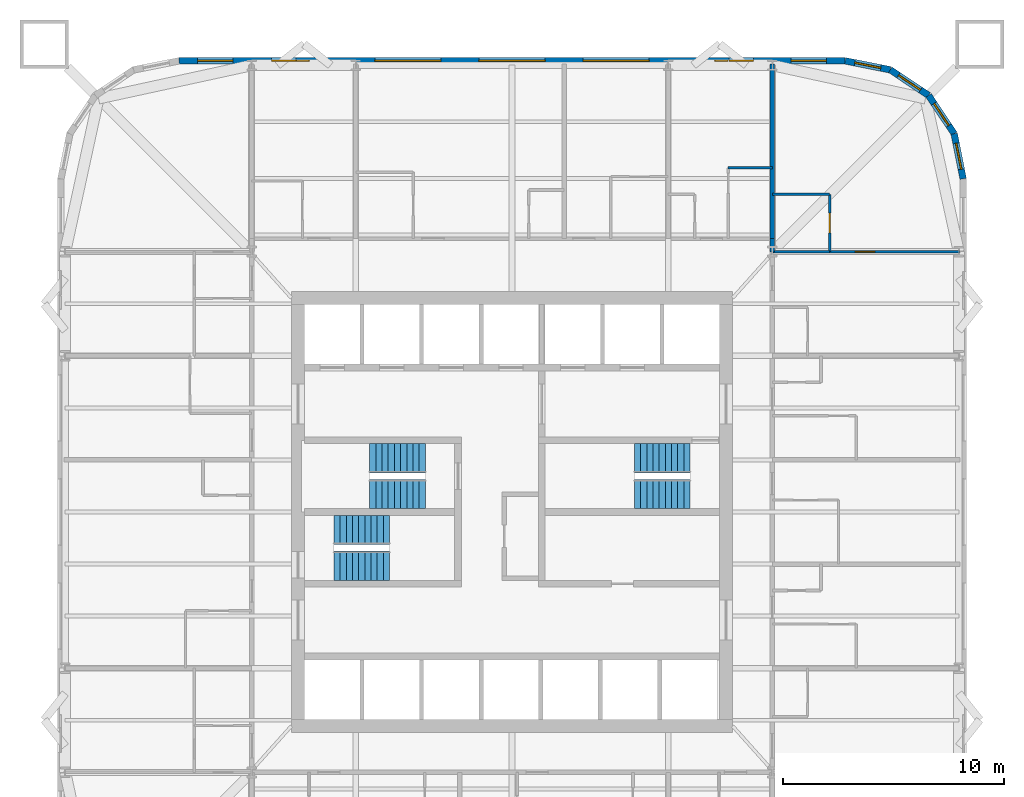
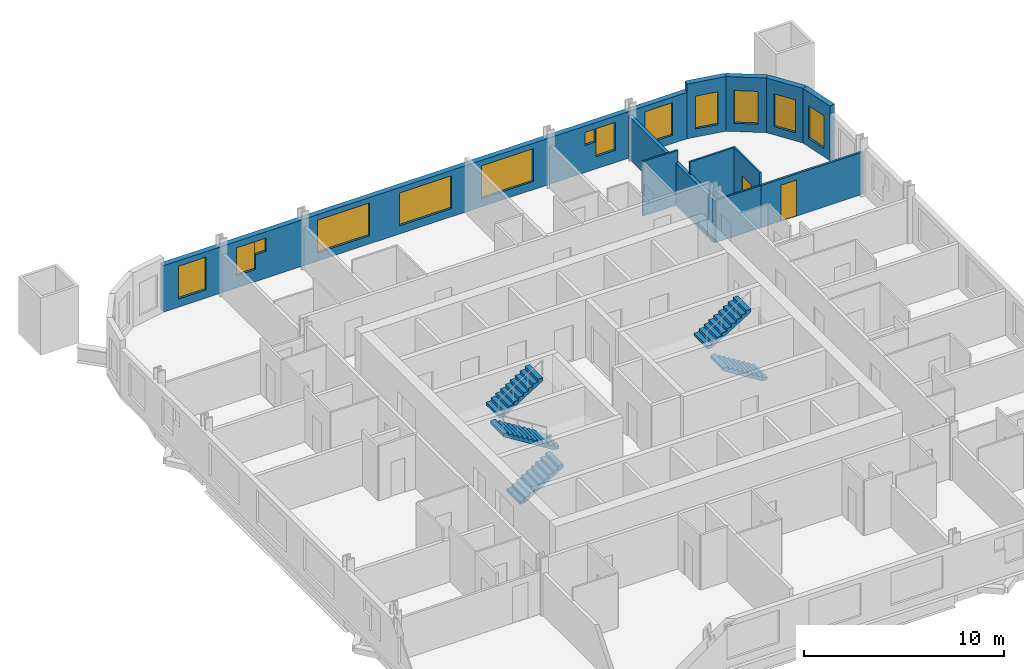
# One storey, part 8 of 9: 13 windows, 12 walls, 6 stair flights, 2 doors, 15 openings, 3 elements without a shape of their own.
"""IFC4 building model written with IfcOpenShell, lengths in metres."""

from ifc_helpers import new_model, si_unit, direction, frame, frame_2d, origin, place, context, subcontext, project, spatial, polyline, rectangle, outline, extrude, material, layer, layer_set, type_object, element, fill, aggregate, save


model = new_model("IFC4")

# Units and contexts
model_context = context("Model", 3, precision=1e-05, world=origin(), true_north=direction((0.0, 1.0)))
body_context = subcontext(model_context, "Body", "Model", "MODEL_VIEW")
ifc_project = project(units=[si_unit("LENGTHUNIT", "METRE"), si_unit("AREAUNIT", "SQUARE_METRE"), si_unit("VOLUMEUNIT", "CUBIC_METRE"), si_unit("PLANEANGLEUNIT", "RADIAN"), si_unit("MASSUNIT", "GRAM", prefix="KILO")], contexts=[model_context])

# Site, building, storey
site_placement = place(None, origin())
site = spatial("IfcSite", under=ifc_project, at=site_placement, CompositionType="ELEMENT")
building_placement = place(site_placement, origin())
building = spatial("IfcBuilding", under=site, at=building_placement, Name="Turquesa Mirador Hotel Tower", CompositionType="ELEMENT")
storey_placement = place(building_placement, frame((0.0, 0.0, 110.89990234375)))
storey = spatial("IfcBuildingStorey", under=building, at=storey_placement, Name="L29", CompositionType="ELEMENT", Elevation=110.89990234375)

# Walls
ifc_material_1 = material(Name="Gypsum board on steel studs", Category="steel")
ifc_layer_1 = layer(ifc_material_1, 0.10009765625)
ifc_layer_set_1 = layer_set([ifc_layer_1], Name="BATHROOM WALL 100")
wall_type_1 = type_object("IfcWallType", Name="BATHROOM WALL 100", PredefinedType="PARTITIONING", material=ifc_layer_set_1)
wall_1_placement = place(storey_placement, frame((66.800048828125, 56.800048828125, 0.0), z_axis=(0.0, 0.0, 1.0), x_axis=(1.0, 0.0, 0.0)))
element("IfcWall", 1, at=wall_1_placement, inside=storey, type_object=wall_type_1, Name="Partition L29 021", PredefinedType="PARTITIONING", context=body_context, shape_type="SweptSolid", body=[
    extrude(rectangle(XDim=2.599853515625, YDim=0.10009765625, at=frame_2d((1.2998046875, 0.0))), origin(), (0.0, 0.0, 1.0), 2.5732421875),
])
wall_2_placement = place(storey_placement, frame((66.800048828125, 59.39990234375, 0.0), z_axis=(0.0, 0.0, 1.0), x_axis=(1.0, 0.0, 0.0)))
element("IfcWall", 2, at=wall_2_placement, inside=storey, type_object=wall_type_1, Name="Partition L29 026", PredefinedType="PARTITIONING", context=body_context, shape_type="SweptSolid", body=[
    extrude(rectangle(XDim=2.599853515625, YDim=0.10009765625, at=frame_2d((1.2998046875, 0.0))), origin(), (0.0, 0.0, 1.0), 3.330078125),
])
wall_3_placement = place(storey_placement, frame((64.800048828125, 60.60009765625, 0.0), z_axis=(0.0, 0.0, 1.0), x_axis=(1.0, 0.0, 0.0)))
element("IfcWall", 3, at=wall_3_placement, inside=storey, type_object=wall_type_1, Name="Partition L29 031", PredefinedType="PARTITIONING", context=body_context, shape_type="SweptSolid", body=[
    extrude(rectangle(XDim=2.0, YDim=0.10009765625, at=frame_2d((1.0, 0.0))), origin(), (0.0, 0.0, 1.0), 3.330078125),
])

# Wall, opening, door
wall_4_placement = place(storey_placement, frame((69.39990234375, 56.800048828125, 0.0), z_axis=(0.0, 0.0, 1.0), x_axis=(0.0, 1.0, 0.0)))
wall_4 = element("IfcWall", 4, at=wall_4_placement, inside=storey, type_object=wall_type_1, Name="Partition L29 068", PredefinedType="PARTITIONING", context=body_context, shape_type="SweptSolid", body=[
    extrude(rectangle(XDim=2.599853515625, YDim=0.10009765625, at=frame_2d((1.2998046875, 0.0))), origin(), (0.0, 0.0, 1.0), 3.330078125),
])
opening_1_placement = place(wall_4_placement, frame((0.85009765625, 0.0, 0.0)))
opening_1 = element("IfcOpeningElement", 5, at=opening_1_placement, cuts=wall_4, Name="Opening D02", PredefinedType="OPENING", context=body_context, shape_type="SweptSolid", body=[
    extrude(rectangle(XDim=0.89990234375, YDim=2.10009765625, at=frame_2d((0.449951171875, 1.050048828125))), frame((0.0, 0.06005859375, 0.0), z_axis=(0.0, -1.0, 0.0), x_axis=(1.0, 0.0, 0.0)), (0.0, 0.0, 1.0), 0.1201171875),
])
ifc_material_2 = material(Name="Timber veneered door", Category="wood")
door_type_1 = type_object("IfcDoorType", Name="DOOR 900X2100 EN-SUITE", OperationType="SINGLE_SWING_RIGHT", PredefinedType="DOOR", material=ifc_material_2)
door_1_placement = place(opening_1_placement, origin())
door_1 = element("IfcDoor", 6, at=door_1_placement, inside=storey, type_object=door_type_1, Name="Door 2913B", OperationType="SINGLE_SWING_RIGHT", OverallHeight=2.10009765625, OverallWidth=0.89990234375, PredefinedType="DOOR", context=body_context, shape_type="SweptSolid", body=[
    extrude(rectangle(XDim=0.89990234375, YDim=2.10009765625, at=frame_2d((0.449951171875, 1.050048828125))), frame((0.0, 0.02490234375, 0.0), z_axis=(0.0, -1.0, 0.0), x_axis=(1.0, 0.0, 0.0)), (0.0, 0.0, 1.0), 0.050048828125),
])
fill(opening_1, door_1)

# Wall
ifc_material_3 = material(Name="Fire-rated gypsum board on steel studs", Category="steel")
ifc_layer_2 = layer(ifc_material_3, 0.199951171875)
ifc_layer_set_2 = layer_set([ifc_layer_2], Name="CORRIDOR WALL 200")
wall_type_2 = type_object("IfcWallType", Name="CORRIDOR WALL 200", PredefinedType="PARTITIONING", material=ifc_layer_set_2)
wall_5_placement = place(storey_placement, frame((66.800048828125, 56.780029296875, 0.0), z_axis=(0.0, 0.0, 1.0), x_axis=(0.0, 1.0, 0.0)))
element("IfcWall", 7, at=wall_5_placement, inside=storey, type_object=wall_type_2, Name="Partition L29 081", PredefinedType="PARTITIONING", context=body_context, shape_type="SweptSolid", body=[
    extrude(rectangle(XDim=0.619873046875, YDim=0.199951171875, at=frame_2d((0.31005859375, 0.0))), origin(), (0.0, 0.0, 1.0), 2.5732421875),
])

# Wall, opening, window
ifc_material_4 = material(Name="Limestone cladding on concrete block", Category="masonry")
ifc_layer_3 = layer(ifc_material_4, 0.300048828125)
ifc_layer_set_3 = layer_set([ifc_layer_3], Name="FACADE WALL 300 STONE SCREEN")
wall_type_3 = type_object("IfcWallType", Name="FACADE WALL 300 STONE SCREEN", PredefinedType="SOLIDWALL", material=ifc_layer_set_3)
wall_6_placement = place(storey_placement, frame((75.449951171875, 60.10009765625, 0.0), z_axis=(0.0, 0.0, 1.0), x_axis=(-0.195081421501, 0.980787050784, 0.0)))
wall_6 = element("IfcWall", 8, at=wall_6_placement, inside=storey, type_object=wall_type_3, Name="Facade wall L29 05", PredefinedType="SOLIDWALL", context=body_context, shape_type="SweptSolid", body=[
    extrude(rectangle(XDim=2.08740234375, YDim=0.300048828125, at=frame_2d((1.043701171875, 0.0))), origin(), (0.0, 0.0, 1.0), 3.330078125),
])
opening_2_placement = place(wall_6_placement, frame((0.443603515625, 0.0, 0.5)))
opening_2 = element("IfcOpeningElement", 9, at=opening_2_placement, cuts=wall_6, Name="Opening WN4", PredefinedType="OPENING", context=body_context, shape_type="SweptSolid", body=[
    extrude(rectangle(XDim=1.199951171875, YDim=2.0, at=frame_2d((0.60009765625, 1.0))), frame((0.0, 0.159912109375, 0.0), z_axis=(0.0, -1.0, 0.0), x_axis=(1.0, 0.0, 0.0)), (0.0, 0.0, 1.0), 0.320068359375),
])
ifc_material_5 = material(Name="Ceramic-fritted laminated glass", Category="glass")
window_type_1 = type_object("IfcWindowType", Name="FRITTED CORNER WINDOW 1200X2000", PartitioningType="DOUBLE_PANEL_HORIZONTAL", PredefinedType="WINDOW", material=ifc_material_5)
window_1_placement = place(opening_2_placement, origin())
window_1 = element("IfcWindow", 10, at=window_1_placement, inside=storey, type_object=window_type_1, Name="Window L29", OverallHeight=2.0, OverallWidth=1.199951171875, PartitioningType="SINGLE_PANEL", PredefinedType="WINDOW", context=body_context, shape_type="SweptSolid", body=[
    extrude(rectangle(XDim=1.199951171875, YDim=2.0, at=frame_2d((0.60009765625, 1.0))), frame((0.0, 0.030029296875, 0.0), z_axis=(0.0, -1.0, 0.0), x_axis=(1.0, 0.0, 0.0)), (0.0, 0.0, 1.0), 0.06005859375),
])
fill(opening_2, window_1)

wall_7_placement = place(storey_placement, frame((75.042724609375, 62.1474609375, 0.0), z_axis=(0.0, 0.0, 1.0), x_axis=(-0.555563607591, 0.831474039234, 0.0)))
wall_7 = element("IfcWall", 11, at=wall_7_placement, inside=storey, type_object=wall_type_3, Name="Facade wall L29 06", PredefinedType="SOLIDWALL", context=body_context, shape_type="SweptSolid", body=[
    extrude(rectangle(XDim=2.08740234375, YDim=0.300048828125, at=frame_2d((1.043701171875, 0.0))), origin(), (0.0, 0.0, 1.0), 3.330078125),
])
opening_3_placement = place(wall_7_placement, frame((0.443603515625, 0.0, 0.5)))
opening_3 = element("IfcOpeningElement", 12, at=opening_3_placement, cuts=wall_7, Name="Opening WN4", PredefinedType="OPENING", context=body_context, shape_type="SweptSolid", body=[
    extrude(rectangle(XDim=1.199951171875, YDim=2.0, at=frame_2d((0.60009765625, 1.0))), frame((0.0, 0.159912109375, 0.0), z_axis=(0.0, -1.0, 0.0), x_axis=(1.0, 0.0, 0.0)), (0.0, 0.0, 1.0), 0.320068359375),
])
window_2_placement = place(opening_3_placement, origin())
window_2 = element("IfcWindow", 13, at=window_2_placement, inside=storey, type_object=window_type_1, Name="Window L29", OverallHeight=2.0, OverallWidth=1.199951171875, PartitioningType="SINGLE_PANEL", PredefinedType="WINDOW", context=body_context, shape_type="SweptSolid", body=[
    extrude(rectangle(XDim=1.199951171875, YDim=2.0, at=frame_2d((0.60009765625, 1.0))), frame((0.0, 0.030029296875, 0.0), z_axis=(0.0, -1.0, 0.0), x_axis=(1.0, 0.0, 0.0)), (0.0, 0.0, 1.0), 0.06005859375),
])
fill(opening_3, window_2)

wall_8_placement = place(storey_placement, frame((73.883056640625, 63.883056640625, 0.0), z_axis=(0.0, 0.0, 1.0), x_axis=(-0.831474039234, 0.555563607591, 0.0)))
wall_8 = element("IfcWall", 14, at=wall_8_placement, inside=storey, type_object=wall_type_3, Name="Facade wall L29 07", PredefinedType="SOLIDWALL", context=body_context, shape_type="SweptSolid", body=[
    extrude(rectangle(XDim=2.08740234375, YDim=0.300048828125, at=frame_2d((1.043701171875, 0.0))), origin(), (0.0, 0.0, 1.0), 3.330078125),
])
opening_4_placement = place(wall_8_placement, frame((0.443603515625, 0.0, 0.5)))
opening_4 = element("IfcOpeningElement", 15, at=opening_4_placement, cuts=wall_8, Name="Opening WN4", PredefinedType="OPENING", context=body_context, shape_type="SweptSolid", body=[
    extrude(rectangle(XDim=1.199951171875, YDim=2.0, at=frame_2d((0.60009765625, 1.0))), frame((0.0, 0.159912109375, 0.0), z_axis=(0.0, -1.0, 0.0), x_axis=(1.0, 0.0, 0.0)), (0.0, 0.0, 1.0), 0.320068359375),
])
window_3_placement = place(opening_4_placement, origin())
window_3 = element("IfcWindow", 16, at=window_3_placement, inside=storey, type_object=window_type_1, Name="Window L29", OverallHeight=2.0, OverallWidth=1.199951171875, PartitioningType="SINGLE_PANEL", PredefinedType="WINDOW", context=body_context, shape_type="SweptSolid", body=[
    extrude(rectangle(XDim=1.199951171875, YDim=2.0, at=frame_2d((0.60009765625, 1.0))), frame((0.0, 0.030029296875, 0.0), z_axis=(0.0, -1.0, 0.0), x_axis=(1.0, 0.0, 0.0)), (0.0, 0.0, 1.0), 0.06005859375),
])
fill(opening_4, window_3)

wall_9_placement = place(storey_placement, frame((72.1474609375, 65.042724609375, 0.0), z_axis=(0.0, 0.0, 1.0), x_axis=(-0.980787050784, 0.195081421501, 0.0)))
wall_9 = element("IfcWall", 17, at=wall_9_placement, inside=storey, type_object=wall_type_3, Name="Facade wall L29 08", PredefinedType="SOLIDWALL", context=body_context, shape_type="SweptSolid", body=[
    extrude(rectangle(XDim=2.08740234375, YDim=0.300048828125, at=frame_2d((1.043701171875, 0.0))), origin(), (0.0, 0.0, 1.0), 3.330078125),
])
opening_5_placement = place(wall_9_placement, frame((0.443603515625, 0.0, 0.5)))
opening_5 = element("IfcOpeningElement", 18, at=opening_5_placement, cuts=wall_9, Name="Opening WN4", PredefinedType="OPENING", context=body_context, shape_type="SweptSolid", body=[
    extrude(rectangle(XDim=1.199951171875, YDim=2.0, at=frame_2d((0.60009765625, 1.0))), frame((0.0, 0.159912109375, 0.0), z_axis=(0.0, -1.0, 0.0), x_axis=(1.0, 0.0, 0.0)), (0.0, 0.0, 1.0), 0.320068359375),
])
window_4_placement = place(opening_5_placement, origin())
window_4 = element("IfcWindow", 19, at=window_4_placement, inside=storey, type_object=window_type_1, Name="Window L29", OverallHeight=2.0, OverallWidth=1.199951171875, PartitioningType="SINGLE_PANEL", PredefinedType="WINDOW", context=body_context, shape_type="SweptSolid", body=[
    extrude(rectangle(XDim=1.199951171875, YDim=2.0, at=frame_2d((0.60009765625, 1.0))), frame((0.0, 0.030029296875, 0.0), z_axis=(0.0, -1.0, 0.0), x_axis=(1.0, 0.0, 0.0)), (0.0, 0.0, 1.0), 0.06005859375),
])
fill(opening_5, window_4)

# Wall, openings, windows
wall_10_placement = place(storey_placement, frame((70.10009765625, 65.449951171875, 0.0), z_axis=(0.0, 0.0, 1.0), x_axis=(-1.0, 0.0, 0.0)))
wall_10 = element("IfcWall", 20, at=wall_10_placement, inside=storey, type_object=wall_type_3, Name="Facade wall L29 09", PredefinedType="SOLIDWALL", context=body_context, shape_type="SweptSolid", body=[
    extrude(rectangle(XDim=30.2001953125, YDim=0.300048828125, at=frame_2d((15.10009765625, 0.0))), origin(), (0.0, 0.0, 1.0), 2.830078125),
])
opening_6_placement = place(wall_10_placement, frame((0.85009765625, 0.0, 0.5)))
opening_6 = element("IfcOpeningElement", 21, at=opening_6_placement, cuts=wall_10, Name="Opening WN3", PredefinedType="OPENING", context=body_context, shape_type="SweptSolid", body=[
    extrude(rectangle(XDim=1.60009765625, YDim=2.0, at=frame_2d((0.800048828125, 1.0))), frame((0.0, 0.159912109375, 0.0), z_axis=(0.0, -1.0, 0.0), x_axis=(1.0, 0.0, 0.0)), (0.0, 0.0, 1.0), 0.320068359375),
])
opening_7_placement = place(wall_10_placement, frame((4.159912109375, 0.0, 0.75)))
opening_7 = element("IfcOpeningElement", 22, at=opening_7_placement, cuts=wall_10, Name="Opening WN26", PredefinedType="OPENING", context=body_context, shape_type="SweptSolid", body=[
    extrude(rectangle(XDim=1.10009765625, YDim=1.699951171875, at=frame_2d((0.550048828125, 0.85009765625))), frame((0.0, 0.159912109375, 0.0), z_axis=(0.0, -1.0, 0.0), x_axis=(1.0, 0.0, 0.0)), (0.0, 0.0, 1.0), 0.320068359375),
])
opening_8_placement = place(wall_10_placement, frame((8.8798828125, 0.0, 0.5)))
opening_8 = element("IfcOpeningElement", 23, at=opening_8_placement, cuts=wall_10, Name="Opening WN1", PredefinedType="OPENING", context=body_context, shape_type="SweptSolid", body=[
    extrude(rectangle(XDim=3.0, YDim=2.0, at=frame_2d((1.5, 1.0))), frame((0.0, 0.159912109375, 0.0), z_axis=(0.0, -1.0, 0.0), x_axis=(1.0, 0.0, 0.0)), (0.0, 0.0, 1.0), 0.320068359375),
])
opening_9_placement = place(wall_10_placement, frame((13.60009765625, 0.0, 0.5)))
opening_9 = element("IfcOpeningElement", 24, at=opening_9_placement, cuts=wall_10, Name="Opening WN1", PredefinedType="OPENING", context=body_context, shape_type="SweptSolid", body=[
    extrude(rectangle(XDim=3.0, YDim=2.0, at=frame_2d((1.5, 1.0))), frame((0.0, 0.159912109375, 0.0), z_axis=(0.0, -1.0, 0.0), x_axis=(1.0, 0.0, 0.0)), (0.0, 0.0, 1.0), 0.320068359375),
])
opening_10_placement = place(wall_10_placement, frame((18.320068359375, 0.0, 0.5)))
opening_10 = element("IfcOpeningElement", 25, at=opening_10_placement, cuts=wall_10, Name="Opening WN1", PredefinedType="OPENING", context=body_context, shape_type="SweptSolid", body=[
    extrude(rectangle(XDim=3.0, YDim=2.0, at=frame_2d((1.5, 1.0))), frame((0.0, 0.159912109375, 0.0), z_axis=(0.0, -1.0, 0.0), x_axis=(1.0, 0.0, 0.0)), (0.0, 0.0, 1.0), 0.320068359375),
])
opening_11_placement = place(wall_10_placement, frame((24.889892578125, 0.0, 0.75)))
opening_11 = element("IfcOpeningElement", 26, at=opening_11_placement, cuts=wall_10, Name="Opening WN26", PredefinedType="OPENING", context=body_context, shape_type="SweptSolid", body=[
    extrude(rectangle(XDim=1.10009765625, YDim=1.699951171875, at=frame_2d((0.550048828125, 0.85009765625))), frame((0.0, 0.159912109375, 0.0), z_axis=(0.0, -1.0, 0.0), x_axis=(1.0, 0.0, 0.0)), (0.0, 0.0, 1.0), 0.320068359375),
])
opening_12_placement = place(wall_10_placement, frame((27.75, 0.0, 0.5)))
opening_12 = element("IfcOpeningElement", 27, at=opening_12_placement, cuts=wall_10, Name="Opening WN3", PredefinedType="OPENING", context=body_context, shape_type="SweptSolid", body=[
    extrude(rectangle(XDim=1.60009765625, YDim=2.0, at=frame_2d((0.800048828125, 1.0))), frame((0.0, 0.159912109375, 0.0), z_axis=(0.0, -1.0, 0.0), x_axis=(1.0, 0.0, 0.0)), (0.0, 0.0, 1.0), 0.320068359375),
])
opening_13_placement = place(wall_10_placement, frame((5.31005859375, 0.0, 1.64990234375)))
opening_13 = element("IfcOpeningElement", 28, at=opening_13_placement, cuts=wall_10, Name="Opening WN28", PredefinedType="OPENING", context=body_context, shape_type="SweptSolid", body=[
    extrude(rectangle(XDim=0.60009765625, YDim=0.800048828125, at=frame_2d((0.300048828125, 0.39990234375))), frame((0.0, 0.159912109375, 0.0), z_axis=(0.0, -1.0, 0.0), x_axis=(1.0, 0.0, 0.0)), (0.0, 0.0, 1.0), 0.320068359375),
])
opening_14_placement = place(wall_10_placement, frame((24.2900390625, 0.0, 1.64990234375)))
opening_14 = element("IfcOpeningElement", 29, at=opening_14_placement, cuts=wall_10, Name="Opening WN28", PredefinedType="OPENING", context=body_context, shape_type="SweptSolid", body=[
    extrude(rectangle(XDim=0.60009765625, YDim=0.800048828125, at=frame_2d((0.300048828125, 0.39990234375))), frame((0.0, 0.159912109375, 0.0), z_axis=(0.0, -1.0, 0.0), x_axis=(1.0, 0.0, 0.0)), (0.0, 0.0, 1.0), 0.320068359375),
])
ifc_material_6 = material(Name="Ceramic-fritted laminated glass", Category="glass")
window_type_2 = type_object("IfcWindowType", Name="FRITTED WINDOW 1100X1700", PartitioningType="DOUBLE_PANEL_HORIZONTAL", PredefinedType="WINDOW", material=ifc_material_6)
window_5_placement = place(opening_7_placement, origin())
window_5 = element("IfcWindow", 30, at=window_5_placement, inside=storey, type_object=window_type_2, Name="Window L29", OverallHeight=1.699951171875, OverallWidth=1.10009765625, PartitioningType="SINGLE_PANEL", PredefinedType="WINDOW", context=body_context, shape_type="SweptSolid", body=[
    extrude(rectangle(XDim=1.10009765625, YDim=1.699951171875, at=frame_2d((0.550048828125, 0.85009765625))), frame((0.0, 0.030029296875, 0.0), z_axis=(0.0, -1.0, 0.0), x_axis=(1.0, 0.0, 0.0)), (0.0, 0.0, 1.0), 0.06005859375),
])
fill(opening_7, window_5)
window_6_placement = place(opening_11_placement, origin())
window_6 = element("IfcWindow", 31, at=window_6_placement, inside=storey, type_object=window_type_2, Name="Window L29", OverallHeight=1.699951171875, OverallWidth=1.10009765625, PartitioningType="SINGLE_PANEL", PredefinedType="WINDOW", context=body_context, shape_type="SweptSolid", body=[
    extrude(rectangle(XDim=1.10009765625, YDim=1.699951171875, at=frame_2d((0.550048828125, 0.85009765625))), frame((0.0, 0.030029296875, 0.0), z_axis=(0.0, -1.0, 0.0), x_axis=(1.0, 0.0, 0.0)), (0.0, 0.0, 1.0), 0.06005859375),
])
fill(opening_11, window_6)
ifc_material_7 = material(Name="Ceramic-fritted laminated glass", Category="glass")
window_type_3 = type_object("IfcWindowType", Name="FRITTED WINDOW 1600X2000", PartitioningType="DOUBLE_PANEL_HORIZONTAL", PredefinedType="WINDOW", material=ifc_material_7)
window_7_placement = place(opening_6_placement, origin())
window_7 = element("IfcWindow", 32, at=window_7_placement, inside=storey, type_object=window_type_3, Name="Window L29", OverallHeight=2.0, OverallWidth=1.60009765625, PartitioningType="SINGLE_PANEL", PredefinedType="WINDOW", context=body_context, shape_type="SweptSolid", body=[
    extrude(rectangle(XDim=1.60009765625, YDim=2.0, at=frame_2d((0.800048828125, 1.0))), frame((0.0, 0.030029296875, 0.0), z_axis=(0.0, -1.0, 0.0), x_axis=(1.0, 0.0, 0.0)), (0.0, 0.0, 1.0), 0.06005859375),
])
fill(opening_6, window_7)
window_8_placement = place(opening_12_placement, origin())
window_8 = element("IfcWindow", 33, at=window_8_placement, inside=storey, type_object=window_type_3, Name="Window L29", OverallHeight=2.0, OverallWidth=1.60009765625, PartitioningType="SINGLE_PANEL", PredefinedType="WINDOW", context=body_context, shape_type="SweptSolid", body=[
    extrude(rectangle(XDim=1.60009765625, YDim=2.0, at=frame_2d((0.800048828125, 1.0))), frame((0.0, 0.030029296875, 0.0), z_axis=(0.0, -1.0, 0.0), x_axis=(1.0, 0.0, 0.0)), (0.0, 0.0, 1.0), 0.06005859375),
])
fill(opening_12, window_8)
ifc_material_8 = material(Name="Ceramic-fritted laminated glass", Category="glass")
window_type_4 = type_object("IfcWindowType", Name="FRITTED WINDOW 3000X2000", PartitioningType="DOUBLE_PANEL_HORIZONTAL", PredefinedType="WINDOW", material=ifc_material_8)
window_9_placement = place(opening_8_placement, origin())
window_9 = element("IfcWindow", 34, at=window_9_placement, inside=storey, type_object=window_type_4, Name="Window L29", OverallHeight=2.0, OverallWidth=3.0, PartitioningType="SINGLE_PANEL", PredefinedType="WINDOW", context=body_context, shape_type="SweptSolid", body=[
    extrude(rectangle(XDim=3.0, YDim=2.0, at=frame_2d((1.5, 1.0))), frame((0.0, 0.030029296875, 0.0), z_axis=(0.0, -1.0, 0.0), x_axis=(1.0, 0.0, 0.0)), (0.0, 0.0, 1.0), 0.06005859375),
])
fill(opening_8, window_9)
window_10_placement = place(opening_9_placement, origin())
window_10 = element("IfcWindow", 35, at=window_10_placement, inside=storey, type_object=window_type_4, Name="Window L29", OverallHeight=2.0, OverallWidth=3.0, PartitioningType="SINGLE_PANEL", PredefinedType="WINDOW", context=body_context, shape_type="SweptSolid", body=[
    extrude(rectangle(XDim=3.0, YDim=2.0, at=frame_2d((1.5, 1.0))), frame((0.0, 0.030029296875, 0.0), z_axis=(0.0, -1.0, 0.0), x_axis=(1.0, 0.0, 0.0)), (0.0, 0.0, 1.0), 0.06005859375),
])
fill(opening_9, window_10)
window_11_placement = place(opening_10_placement, origin())
window_11 = element("IfcWindow", 36, at=window_11_placement, inside=storey, type_object=window_type_4, Name="Window L29", OverallHeight=2.0, OverallWidth=3.0, PartitioningType="SINGLE_PANEL", PredefinedType="WINDOW", context=body_context, shape_type="SweptSolid", body=[
    extrude(rectangle(XDim=3.0, YDim=2.0, at=frame_2d((1.5, 1.0))), frame((0.0, 0.030029296875, 0.0), z_axis=(0.0, -1.0, 0.0), x_axis=(1.0, 0.0, 0.0)), (0.0, 0.0, 1.0), 0.06005859375),
])
fill(opening_10, window_11)
ifc_material_9 = material(Name="Ceramic-fritted laminated glass", Category="glass")
window_type_5 = type_object("IfcWindowType", Name="FRITTED WINDOW 600X800", PartitioningType="DOUBLE_PANEL_HORIZONTAL", PredefinedType="WINDOW", material=ifc_material_9)
window_12_placement = place(opening_13_placement, origin())
window_12 = element("IfcWindow", 37, at=window_12_placement, inside=storey, type_object=window_type_5, Name="Window L29", OverallHeight=0.800048828125, OverallWidth=0.60009765625, PartitioningType="SINGLE_PANEL", PredefinedType="WINDOW", context=body_context, shape_type="SweptSolid", body=[
    extrude(rectangle(XDim=0.60009765625, YDim=0.800048828125, at=frame_2d((0.300048828125, 0.39990234375))), frame((0.0, 0.030029296875, 0.0), z_axis=(0.0, -1.0, 0.0), x_axis=(1.0, 0.0, 0.0)), (0.0, 0.0, 1.0), 0.06005859375),
])
fill(opening_13, window_12)
window_13_placement = place(opening_14_placement, origin())
window_13 = element("IfcWindow", 38, at=window_13_placement, inside=storey, type_object=window_type_5, Name="Window L29", OverallHeight=0.800048828125, OverallWidth=0.60009765625, PartitioningType="SINGLE_PANEL", PredefinedType="WINDOW", context=body_context, shape_type="SweptSolid", body=[
    extrude(rectangle(XDim=0.60009765625, YDim=0.800048828125, at=frame_2d((0.300048828125, 0.39990234375))), frame((0.0, 0.030029296875, 0.0), z_axis=(0.0, -1.0, 0.0), x_axis=(1.0, 0.0, 0.0)), (0.0, 0.0, 1.0), 0.06005859375),
])
fill(opening_14, window_13)

# Wall
ifc_material_10 = material(Name="Fire-rated gypsum board on steel studs", Category="steel")
ifc_layer_4 = layer(ifc_material_10, 0.199951171875)
ifc_layer_set_4 = layer_set([ifc_layer_4], Name="PARTY WALL 200")
wall_type_4 = type_object("IfcWallType", Name="PARTY WALL 200", PredefinedType="PARTITIONING", material=ifc_layer_set_4)
wall_11_placement = place(storey_placement, frame((66.800048828125, 57.39990234375, 0.0), z_axis=(0.0, 0.0, 1.0), x_axis=(0.0, 1.0, 0.0)))
element("IfcWall", 39, at=wall_11_placement, inside=storey, type_object=wall_type_4, Name="Partition L29 062", PredefinedType="PARTITIONING", context=body_context, shape_type="SweptSolid", body=[
    extrude(rectangle(XDim=7.900146484375, YDim=0.199951171875, at=frame_2d((3.9501953125, 0.0))), origin(), (0.0, 0.0, 1.0), 2.5732421875),
])

# Wall, opening, door
ifc_material_11 = material(Name="Acoustic gypsum board on steel studs", Category="steel")
ifc_layer_5 = layer(ifc_material_11, 0.125)
ifc_layer_set_5 = layer_set([ifc_layer_5], Name="SUITE PARTITION 125")
wall_type_5 = type_object("IfcWallType", Name="SUITE PARTITION 125", PredefinedType="PARTITIONING", material=ifc_layer_set_5)
wall_12_placement = place(storey_placement, frame((69.39990234375, 56.800048828125, 0.0), z_axis=(0.0, 0.0, 1.0), x_axis=(1.0, 0.0, 0.0)))
wall_12 = element("IfcWall", 40, at=wall_12_placement, inside=storey, type_object=wall_type_5, Name="Partition L29 023", PredefinedType="PARTITIONING", context=body_context, shape_type="SweptSolid", body=[
    extrude(rectangle(XDim=5.900146484375, YDim=0.125, at=frame_2d((2.9501953125, 0.0))), origin(), (0.0, 0.0, 1.0), 2.5732421875),
])
opening_15_placement = place(wall_12_placement, frame((1.14990234375, 0.0, 0.0)))
opening_15 = element("IfcOpeningElement", 41, at=opening_15_placement, cuts=wall_12, Name="Opening D17", PredefinedType="OPENING", context=body_context, shape_type="SweptSolid", body=[
    extrude(rectangle(XDim=0.89990234375, YDim=2.199951171875, at=frame_2d((0.449951171875, 1.10009765625))), frame((0.0, 0.072509765625, 0.0), z_axis=(0.0, -1.0, 0.0), x_axis=(1.0, 0.0, 0.0)), (0.0, 0.0, 1.0), 0.14501953125),
])
ifc_material_12 = material(Name="Timber veneered door", Category="wood")
door_type_2 = type_object("IfcDoorType", Name="DOOR 900X2200 SUITE INTERNAL", OperationType="SINGLE_SWING_LEFT", PredefinedType="DOOR", material=ifc_material_12)
door_2_placement = place(opening_15_placement, origin())
door_2 = element("IfcDoor", 42, at=door_2_placement, inside=storey, type_object=door_type_2, Name="Door 2913R", OperationType="SINGLE_SWING_LEFT", OverallHeight=2.199951171875, OverallWidth=0.89990234375, PredefinedType="DOOR", context=body_context, shape_type="SweptSolid", body=[
    extrude(rectangle(XDim=0.89990234375, YDim=2.199951171875, at=frame_2d((0.449951171875, 1.10009765625))), frame((0.0, 0.02490234375, 0.0), z_axis=(0.0, -1.0, 0.0), x_axis=(1.0, 0.0, 0.0)), (0.0, 0.0, 1.0), 0.050048828125),
])
fill(opening_15, door_2)

# Stair, stair flights
ifc_material_13 = material(Name="Concrete C35/45", Category="concrete")
stair_type = type_object("IfcStairType", Name="ESCAPE STAIR CORE", PredefinedType="HALF_TURN_STAIR", material=ifc_material_13)
stair_1_placement = place(storey_placement, origin())
stair_1 = element("IfcStair", 43, at=stair_1_placement, inside=storey, type_object=stair_type, Name="Stair ST1 L29 to L30", PredefinedType="HALF_TURN_STAIR")
ifc_material_14 = material(Name="Concrete C35/45 precast flight", Category="concrete")
stair_flight_type = type_object("IfcStairFlightType", Name="STAIR FLIGHT 1330", PredefinedType="STRAIGHT", material=ifc_material_14)
stair_flight_1_placement = place(storey_placement, frame((51.070068359375, 45.81494140625, 0.0), z_axis=(0.0, 0.0, 1.0), x_axis=(-1.0, 0.0, 0.0)))
stair_flight_1 = element("IfcStairFlight", 44, at=stair_flight_1_placement, type_object=stair_flight_type, Name="ST1 flight 1", NumberOfRisers=10, NumberOfTreads=9, PredefinedType="STRAIGHT", RiserHeight=0.175, TreadLength=0.28, context=body_context, shape_type="SweptSolid", body=[
    extrude(outline(polyline([(0.0, 0.0), (0.0, 0.175048828125), (0.280029296875, 0.175048828125), (0.280029296875, 0.35009765625), (0.56005859375, 0.35009765625), (0.56005859375, 0.52490234375), (0.840087890625, 0.52490234375), (0.840087890625, 0.699951171875), (1.1201171875, 0.699951171875), (1.1201171875, 0.875), (1.39990234375, 0.875), (1.39990234375, 1.050048828125), (1.679931640625, 1.050048828125), (1.679931640625, 1.22509765625), (1.9599609375, 1.22509765625), (1.9599609375, 1.39990234375), (2.239990234375, 1.39990234375), (2.239990234375, 1.574951171875), (2.52001953125, 1.574951171875), (2.52001953125, 1.75), (2.52001953125, 1.398193359375), (0.28271484375, 0.0), (0.0, 0.0)])), frame((0.0, 0.6650390625, 0.0), z_axis=(0.0, -1.0, 0.0), x_axis=(1.0, 0.0, 0.0)), (0.0, 0.0, 1.0), 1.330078125),
])
stair_flight_2_placement = place(storey_placement, frame((48.550048828125, 47.43505859375, 1.75), z_axis=(0.0, 0.0, 1.0), x_axis=(1.0, 0.0, 0.0)))
stair_flight_2 = element("IfcStairFlight", 45, at=stair_flight_2_placement, type_object=stair_flight_type, Name="ST1 flight 2", NumberOfRisers=10, NumberOfTreads=9, PredefinedType="STRAIGHT", RiserHeight=0.175, TreadLength=0.28, context=body_context, shape_type="SweptSolid", body=[
    extrude(outline(polyline([(0.0, 0.0), (0.0, 0.175048828125), (0.280029296875, 0.175048828125), (0.280029296875, 0.35009765625), (0.56005859375, 0.35009765625), (0.56005859375, 0.52490234375), (0.840087890625, 0.52490234375), (0.840087890625, 0.699951171875), (1.1201171875, 0.699951171875), (1.1201171875, 0.875), (1.39990234375, 0.875), (1.39990234375, 1.050048828125), (1.679931640625, 1.050048828125), (1.679931640625, 1.22509765625), (1.9599609375, 1.22509765625), (1.9599609375, 1.39990234375), (2.239990234375, 1.39990234375), (2.239990234375, 1.574951171875), (2.52001953125, 1.574951171875), (2.52001953125, 1.75), (2.52001953125, 1.398193359375), (0.28271484375, 0.0), (0.0, 0.0)])), frame((0.0, 0.6650390625, 0.0), z_axis=(0.0, -1.0, 0.0), x_axis=(1.0, 0.0, 0.0)), (0.0, 0.0, 1.0), 1.330078125),
])
aggregate(stair_1, [stair_flight_1, stair_flight_2])

stair_2_placement = place(storey_placement, origin())
stair_2 = element("IfcStair", 46, at=stair_2_placement, inside=storey, type_object=stair_type, Name="Stair ST2 L29 to L30", PredefinedType="HALF_TURN_STAIR")
stair_flight_3_placement = place(storey_placement, frame((46.929931640625, 42.56494140625, 0.0), z_axis=(0.0, 0.0, 1.0), x_axis=(1.0, 0.0, 0.0)))
stair_flight_3 = element("IfcStairFlight", 47, at=stair_flight_3_placement, type_object=stair_flight_type, Name="ST2 flight 1", NumberOfRisers=10, NumberOfTreads=9, PredefinedType="STRAIGHT", RiserHeight=0.175, TreadLength=0.28, context=body_context, shape_type="SweptSolid", body=[
    extrude(outline(polyline([(0.0, 0.0), (0.0, 0.175048828125), (0.280029296875, 0.175048828125), (0.280029296875, 0.35009765625), (0.56005859375, 0.35009765625), (0.56005859375, 0.52490234375), (0.840087890625, 0.52490234375), (0.840087890625, 0.699951171875), (1.1201171875, 0.699951171875), (1.1201171875, 0.875), (1.39990234375, 0.875), (1.39990234375, 1.050048828125), (1.679931640625, 1.050048828125), (1.679931640625, 1.22509765625), (1.9599609375, 1.22509765625), (1.9599609375, 1.39990234375), (2.239990234375, 1.39990234375), (2.239990234375, 1.574951171875), (2.52001953125, 1.574951171875), (2.52001953125, 1.75), (2.52001953125, 1.398193359375), (0.28271484375, 0.0), (0.0, 0.0)])), frame((0.0, 0.6650390625, 0.0), z_axis=(0.0, -1.0, 0.0), x_axis=(1.0, 0.0, 0.0)), (0.0, 0.0, 1.0), 1.330078125),
])
stair_flight_4_placement = place(storey_placement, frame((49.449951171875, 44.18505859375, 1.75), z_axis=(0.0, 0.0, 1.0), x_axis=(-1.0, 0.0, 0.0)))
stair_flight_4 = element("IfcStairFlight", 48, at=stair_flight_4_placement, type_object=stair_flight_type, Name="ST2 flight 2", NumberOfRisers=10, NumberOfTreads=9, PredefinedType="STRAIGHT", RiserHeight=0.175, TreadLength=0.28, context=body_context, shape_type="SweptSolid", body=[
    extrude(outline(polyline([(0.0, 0.0), (0.0, 0.175048828125), (0.280029296875, 0.175048828125), (0.280029296875, 0.35009765625), (0.56005859375, 0.35009765625), (0.56005859375, 0.52490234375), (0.840087890625, 0.52490234375), (0.840087890625, 0.699951171875), (1.1201171875, 0.699951171875), (1.1201171875, 0.875), (1.39990234375, 0.875), (1.39990234375, 1.050048828125), (1.679931640625, 1.050048828125), (1.679931640625, 1.22509765625), (1.9599609375, 1.22509765625), (1.9599609375, 1.39990234375), (2.239990234375, 1.39990234375), (2.239990234375, 1.574951171875), (2.52001953125, 1.574951171875), (2.52001953125, 1.75), (2.52001953125, 1.398193359375), (0.28271484375, 0.0), (0.0, 0.0)])), frame((0.0, 0.6650390625, 0.0), z_axis=(0.0, -1.0, 0.0), x_axis=(1.0, 0.0, 0.0)), (0.0, 0.0, 1.0), 1.330078125),
])
aggregate(stair_2, [stair_flight_3, stair_flight_4])

stair_3_placement = place(storey_placement, origin())
stair_3 = element("IfcStair", 49, at=stair_3_placement, inside=storey, type_object=stair_type, Name="Stair ST3 L29 to L30", PredefinedType="HALF_TURN_STAIR")
stair_flight_5_placement = place(storey_placement, frame((63.070068359375, 45.81494140625, 0.0), z_axis=(0.0, 0.0, 1.0), x_axis=(-1.0, 0.0, 0.0)))
stair_flight_5 = element("IfcStairFlight", 50, at=stair_flight_5_placement, type_object=stair_flight_type, Name="ST3 flight 1", NumberOfRisers=10, NumberOfTreads=9, PredefinedType="STRAIGHT", RiserHeight=0.175, TreadLength=0.28, context=body_context, shape_type="SweptSolid", body=[
    extrude(outline(polyline([(0.0, 0.0), (0.0, 0.175048828125), (0.280029296875, 0.175048828125), (0.280029296875, 0.35009765625), (0.56005859375, 0.35009765625), (0.56005859375, 0.52490234375), (0.840087890625, 0.52490234375), (0.840087890625, 0.699951171875), (1.1201171875, 0.699951171875), (1.1201171875, 0.875), (1.39990234375, 0.875), (1.39990234375, 1.050048828125), (1.679931640625, 1.050048828125), (1.679931640625, 1.22509765625), (1.9599609375, 1.22509765625), (1.9599609375, 1.39990234375), (2.239990234375, 1.39990234375), (2.239990234375, 1.574951171875), (2.52001953125, 1.574951171875), (2.52001953125, 1.75), (2.52001953125, 1.398193359375), (0.28271484375, 0.0), (0.0, 0.0)])), frame((0.0, 0.6650390625, 0.0), z_axis=(0.0, -1.0, 0.0), x_axis=(1.0, 0.0, 0.0)), (0.0, 0.0, 1.0), 1.330078125),
])
stair_flight_6_placement = place(storey_placement, frame((60.550048828125, 47.43505859375, 1.75), z_axis=(0.0, 0.0, 1.0), x_axis=(1.0, 0.0, 0.0)))
stair_flight_6 = element("IfcStairFlight", 51, at=stair_flight_6_placement, type_object=stair_flight_type, Name="ST3 flight 2", NumberOfRisers=10, NumberOfTreads=9, PredefinedType="STRAIGHT", RiserHeight=0.175, TreadLength=0.28, context=body_context, shape_type="SweptSolid", body=[
    extrude(outline(polyline([(0.0, 0.0), (0.0, 0.175048828125), (0.280029296875, 0.175048828125), (0.280029296875, 0.35009765625), (0.56005859375, 0.35009765625), (0.56005859375, 0.52490234375), (0.840087890625, 0.52490234375), (0.840087890625, 0.699951171875), (1.1201171875, 0.699951171875), (1.1201171875, 0.875), (1.39990234375, 0.875), (1.39990234375, 1.050048828125), (1.679931640625, 1.050048828125), (1.679931640625, 1.22509765625), (1.9599609375, 1.22509765625), (1.9599609375, 1.39990234375), (2.239990234375, 1.39990234375), (2.239990234375, 1.574951171875), (2.52001953125, 1.574951171875), (2.52001953125, 1.75), (2.52001953125, 1.398193359375), (0.28271484375, 0.0), (0.0, 0.0)])), frame((0.0, 0.6650390625, 0.0), z_axis=(0.0, -1.0, 0.0), x_axis=(1.0, 0.0, 0.0)), (0.0, 0.0, 1.0), 1.330078125),
])
aggregate(stair_3, [stair_flight_5, stair_flight_6])

save(model, "model.ifc")
